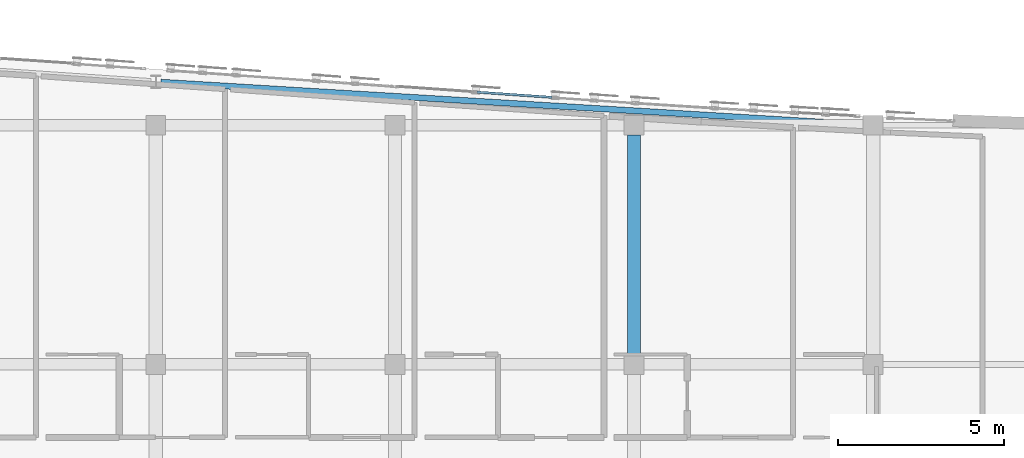
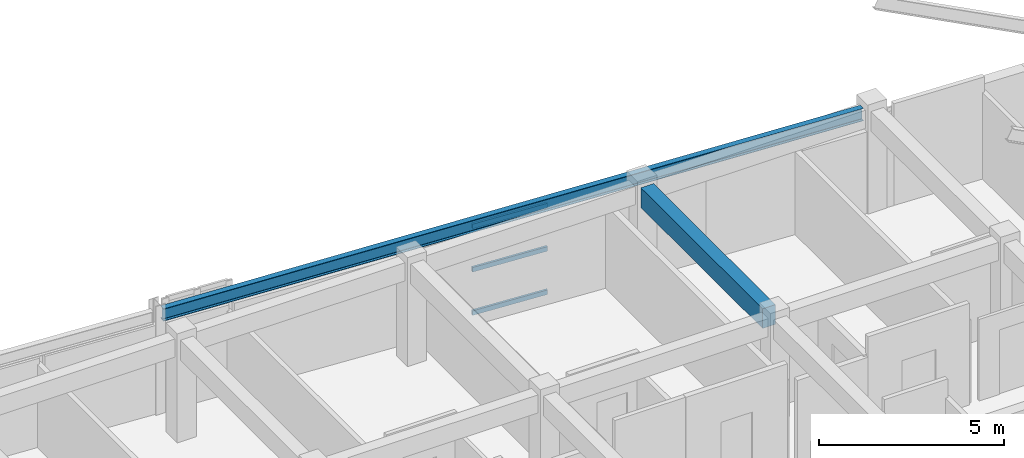
# One storey, part 27 of 51: 3 members, 2 beams, 1 element without a shape of its own.
"""IFC4 building model written with IfcOpenShell, lengths in metres."""

from ifc_helpers import new_model, si_unit, direction, frame, origin, origin_2d, place, context, subcontext, project, spatial, rectangle, hollow_rectangle, i_section, extrude, material, layer, layer_set, material_profile, profile_set, type_object, element, aggregate, save


model = new_model("IFC4")

# Units and contexts
model_context = context("Model", 3, precision=1e-05, world=origin(), true_north=direction((0.0, 1.0)))
body_context = subcontext(model_context, "Body", "Model", "MODEL_VIEW")
ifc_project = project(units=[si_unit("LENGTHUNIT", "METRE"), si_unit("AREAUNIT", "SQUARE_METRE"), si_unit("VOLUMEUNIT", "CUBIC_METRE"), si_unit("PLANEANGLEUNIT", "RADIAN"), si_unit("MASSUNIT", "GRAM", prefix="KILO")], contexts=[model_context])

# Site, building, storey
site_placement = place(None, origin())
site = spatial("IfcSite", under=ifc_project, at=site_placement, CompositionType="ELEMENT")
building_placement = place(site_placement, origin())
building = spatial("IfcBuilding", under=site, at=building_placement, Name="Carrowvane Square Congress Hotel", CompositionType="ELEMENT")
storey_placement = place(building_placement, frame((0.0, 0.0, 30.0)))
storey = spatial("IfcBuildingStorey", under=building, at=storey_placement, Name="L07", CompositionType="ELEMENT", Elevation=30.0)

# Beams
ifc_material_1 = material(Name="Concrete C35/45", Category="concrete")
ifc_material_profile_1 = material_profile(ifc_material_1, rectangle(XDim=0.39990234375, YDim=0.64990234375, at=origin_2d()), Name="RC 400x650")
ifc_profile_set_1 = profile_set([ifc_material_profile_1], Name="Concrete C35/45")
beam_type_1 = type_object("IfcBeamType", Name="BM-RC-400x650", PredefinedType="BEAM", material=ifc_profile_set_1)
beam_1_placement = place(storey_placement, frame((148.39990234375, 106.5, 3.034912109375), z_axis=(0.0, 1.0, 0.0), x_axis=(-1.0, 0.0, 0.0)))
element("IfcBeam", 1, at=beam_1_placement, inside=storey, type_object=beam_type_1, Name="L08 girder 20/Q-R", PredefinedType="BEAM", context=body_context, shape_type="SweptSolid", body=[
    extrude(rectangle(XDim=0.39990234375, YDim=0.64990234375, at=origin_2d()), origin(), (0.0, 0.0, 1.0), 6.60009765625),
])
ifc_material_2 = material(Name="Steel S355", Category="steel")
ifc_material_profile_2 = material_profile(ifc_material_2, i_section(OverallWidth=0.1787109375, OverallDepth=0.409423828125, WebThickness=0.0087890625, FlangeThickness=0.014404296875, FilletRadius=0.01025390625, at=origin_2d()), Name="UKB 406x178x67")
ifc_profile_set_2 = profile_set([ifc_material_profile_2], Name="Steel S355")
beam_type_2 = type_object("IfcBeamType", Name="BM-ST-UKB406", PredefinedType="BEAM", material=ifc_profile_set_2)
beam_2_placement = place(storey_placement, frame((134.149658203125, 114.697021484375, 3.1552734375), z_axis=(0.998177214538, -0.06035104289, 0.0), x_axis=(0.06035104289, 0.998177214538, 0.0)))
element("IfcBeam", 2, at=beam_2_placement, inside=storey, type_object=beam_type_2, Name="L08 curved north spandrel", PredefinedType="BEAM", context=body_context, shape_type="SweptSolid", body=[
    extrude(i_section(OverallWidth=0.1787109375, OverallDepth=0.409423828125, WebThickness=0.0087890625, FlangeThickness=0.014404296875, FilletRadius=0.01025390625, at=origin_2d()), origin(), (0.0, 0.0, 1.0), 21.189453125),
])

# Curtain wall, members
ifc_material_3 = material(Name="Anodised aluminium", Category="aluminium")
ifc_layer = layer(ifc_material_3, 0.197998046875)
ifc_layer_set = layer_set([ifc_layer], Name="Anodised aluminium")
curtain_wall_type = type_object("IfcCurtainWallType", Name="CW-SYS-4", PredefinedType="NOTDEFINED", material=ifc_layer_set)
curtain_wall_placement = place(storey_placement, origin())
curtain_wall = element("IfcCurtainWall", 3, at=curtain_wall_placement, inside=storey, type_object=curtain_wall_type, Name="L07 unitised curtain wall 451", PredefinedType="NOTDEFINED")
ifc_material_4 = material(Name="Anodised aluminium", Category="aluminium")
ifc_material_profile_3 = material_profile(ifc_material_4, hollow_rectangle(XDim=0.070068359375, YDim=0.14990234375, WallThickness=0.0048828125, at=origin_2d()), Name="CW-TR 70x150x5")
ifc_profile_set_3 = profile_set([ifc_material_profile_3], Name="Anodised aluminium")
member_type = type_object("IfcMemberType", Name="CW-TRN-2", PredefinedType="USERDEFINED", material=ifc_profile_set_3)
member_1_placement = place(storey_placement, frame((143.669921875, 114.396728515625, 0.034912109375), z_axis=(0.997611673576, -0.069072054738, 0.0), x_axis=(0.069072054738, 0.997611673576, 0.0)))
member_1 = element("IfcMember", 4, at=member_1_placement, type_object=member_type, Name="CW-4 transom 1.1", ObjectType="TRANSOM", PredefinedType="USERDEFINED", context=body_context, shape_type="SweptSolid", body=[
    extrude(hollow_rectangle(XDim=0.070068359375, YDim=0.14990234375, WallThickness=0.0048828125, at=origin_2d()), origin(), (0.0, 0.0, 1.0), 2.265625),
])
member_2_placement = place(storey_placement, frame((143.669921875, 114.396728515625, 1.4677734375), z_axis=(0.997611673576, -0.069072054738, 0.0), x_axis=(0.069072054738, 0.997611673576, 0.0)))
member_2 = element("IfcMember", 5, at=member_2_placement, type_object=member_type, Name="CW-4 transom 1.2", ObjectType="TRANSOM", PredefinedType="USERDEFINED", context=body_context, shape_type="SweptSolid", body=[
    extrude(hollow_rectangle(XDim=0.070068359375, YDim=0.14990234375, WallThickness=0.0048828125, at=origin_2d()), origin(), (0.0, 0.0, 1.0), 2.265625),
])
member_3_placement = place(storey_placement, frame((143.669921875, 114.396728515625, 2.900634765625), z_axis=(0.997611673576, -0.069072054738, 0.0), x_axis=(0.069072054738, 0.997611673576, 0.0)))
member_3 = element("IfcMember", 6, at=member_3_placement, type_object=member_type, Name="CW-4 transom 1.3", ObjectType="TRANSOM", PredefinedType="USERDEFINED", context=body_context, shape_type="SweptSolid", body=[
    extrude(hollow_rectangle(XDim=0.070068359375, YDim=0.14990234375, WallThickness=0.0048828125, at=origin_2d()), origin(), (0.0, 0.0, 1.0), 2.265625),
])
aggregate(curtain_wall, [member_1, member_2, member_3])

save(model, "model.ifc")
